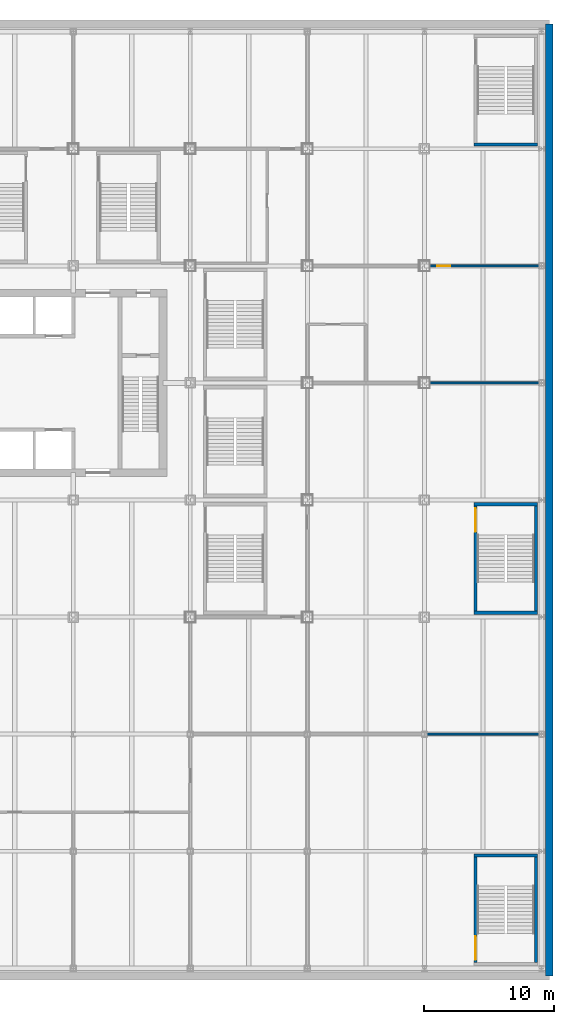
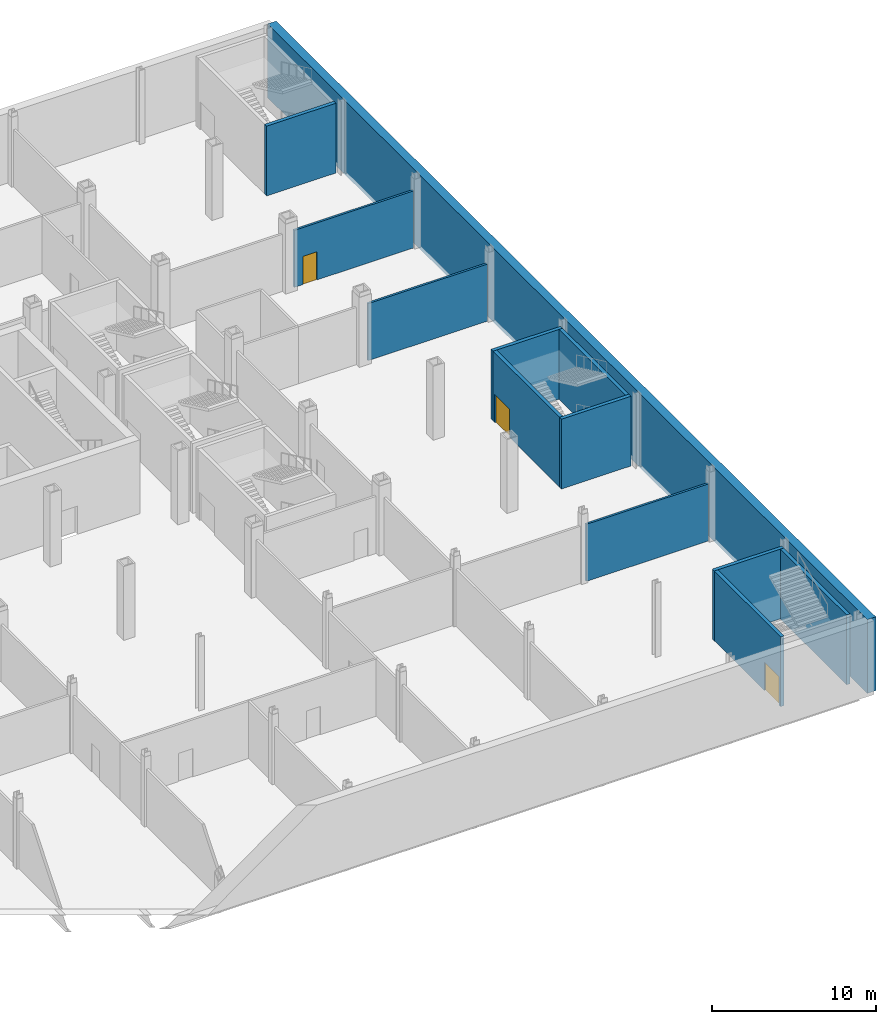
# One storey, part 11 of 27: 12 walls, 3 doors, 3 openings.
"""IFC4 building model written with IfcOpenShell, lengths in metres."""

from ifc_helpers import new_model, si_unit, direction, frame, frame_2d, origin, place, context, subcontext, project, spatial, rectangle, extrude, material, layer, layer_set, type_object, element, fill, save


model = new_model("IFC4")

# Units and contexts
model_context = context("Model", 3, precision=1e-05, world=origin(), true_north=direction((0.0, 1.0)))
body_context = subcontext(model_context, "Body", "Model", "MODEL_VIEW")
ifc_project = project(units=[si_unit("LENGTHUNIT", "METRE"), si_unit("AREAUNIT", "SQUARE_METRE"), si_unit("VOLUMEUNIT", "CUBIC_METRE"), si_unit("PLANEANGLEUNIT", "RADIAN"), si_unit("MASSUNIT", "GRAM", prefix="KILO")], contexts=[model_context])

# Site, building, storey
site_placement = place(None, origin())
site = spatial("IfcSite", under=ifc_project, at=site_placement, CompositionType="ELEMENT")
building_placement = place(site_placement, origin())
building = spatial("IfcBuilding", under=site, at=building_placement, Name="Loomwork Tower", CompositionType="ELEMENT")
storey_placement = place(building_placement, frame((0.0, 0.0, -5.5)))
storey = spatial("IfcBuildingStorey", under=building, at=storey_placement, Name="B1", CompositionType="ELEMENT", Elevation=-5.5)

# Walls
ifc_material_1 = material(Name="Concrete 6000 psi (41 MPa)", Category="concrete")
ifc_layer_1 = layer(ifc_material_1, 0.60009765625)
ifc_layer_set_1 = layer_set([ifc_layer_1], Name="Basement retaining wall 600")
wall_type_1 = type_object("IfcWallType", Name="Basement retaining wall 600", PredefinedType="SOLIDWALL", material=ifc_layer_set_1)
wall_1_placement = place(storey_placement, frame((63.60009765625, -27.60009765625, -0.300048828125), z_axis=(0.0, 0.0, 1.0), x_axis=(0.0, 1.0, 0.0)))
element("IfcWall", 1, at=wall_1_placement, inside=storey, type_object=wall_type_1, Name="Basement retaining wall E", PredefinedType="SOLIDWALL", context=body_context, shape_type="SweptSolid", body=[
    extrude(rectangle(XDim=73.2001953125, YDim=0.60009765625, at=frame_2d((36.60009765625, 0.0))), origin(), (0.0, 0.0, 1.0), 5.5),
])
ifc_material_2 = material(Name="Gypsum board on steel studs, one-hour", Category="steel")
ifc_layer_2 = layer(ifc_material_2, 0.14990234375)
ifc_layer_set_2 = layer_set([ifc_layer_2], Name="Partition 150")
wall_type_2 = type_object("IfcWallType", Name="Partition 150", PredefinedType="PARTITIONING", material=ifc_layer_set_2)
wall_2_placement = place(storey_placement, frame((54.20068359375, -9.0, 0.0), z_axis=(0.0, 0.0, 1.0), x_axis=(1.0, 0.0, 0.0)))
element("IfcWall", 2, at=wall_2_placement, inside=storey, type_object=wall_type_2, Name="Partition B1 33.2", PredefinedType="PARTITIONING", context=body_context, shape_type="SweptSolid", body=[
    extrude(rectangle(XDim=8.599853515625, YDim=0.14990234375, at=frame_2d((4.2998046875, 0.0))), origin(), (0.0, 0.0, 1.0), 4.252685546875),
])

# Wall, opening, door
wall_3_placement = place(storey_placement, frame((62.800537109375, 27.0, 0.0), z_axis=(0.0, 0.0, 1.0), x_axis=(-1.0, 0.0, 0.0)))
wall_3 = element("IfcWall", 3, at=wall_3_placement, inside=storey, type_object=wall_type_2, Name="Partition B1 39.1", PredefinedType="PARTITIONING", context=body_context, shape_type="SweptSolid", body=[
    extrude(rectangle(XDim=8.400634765625, YDim=0.14990234375, at=frame_2d((4.2001953125, 0.0))), origin(), (0.0, 0.0, 1.0), 4.252685546875),
])
opening_1_placement = place(wall_3_placement, frame((6.800537109375, 0.0, 0.0)))
opening_1 = element("IfcOpeningElement", 4, at=opening_1_placement, cuts=wall_3, Name="Opening D15", PredefinedType="OPENING", context=body_context, shape_type="SweptSolid", body=[
    extrude(rectangle(XDim=1.0, YDim=2.10009765625, at=frame_2d((0.5, 1.050048828125))), frame((0.0, 0.0849609375, 0.0), z_axis=(0.0, -1.0, 0.0), x_axis=(1.0, 0.0, 0.0)), (0.0, 0.0, 1.0), 0.169921875),
])
ifc_material_3 = material(Name="Hollow metal door and frame")
door_type_1 = type_object("IfcDoorType", Name="Fire-rated room door 1000", OperationType="SINGLE_SWING_LEFT", PredefinedType="DOOR", material=ifc_material_3)
door_1_placement = place(opening_1_placement, frame((1.0, 0.0, 0.0), z_axis=(0.0, 0.0, 1.0), x_axis=(-1.0, 0.0, 0.0)))
door_1 = element("IfcDoor", 5, at=door_1_placement, inside=storey, type_object=door_type_1, Name="Retail store door", OperationType="SINGLE_SWING_LEFT", OverallHeight=2.10009765625, OverallWidth=1.0, PredefinedType="DOOR", context=body_context, shape_type="SweptSolid", body=[
    extrude(rectangle(XDim=1.0, YDim=2.10009765625, at=frame_2d((0.5, 1.050048828125))), frame((0.0, 0.02490234375, 0.0), z_axis=(0.0, -1.0, 0.0), x_axis=(1.0, 0.0, 0.0)), (0.0, 0.0, 1.0), 0.050048828125),
])
fill(opening_1, door_1)

# Walls
wall_4_placement = place(storey_placement, frame((54.39990234375, 18.0, 0.0), z_axis=(0.0, 0.0, 1.0), x_axis=(1.0, 0.0, 0.0)))
element("IfcWall", 6, at=wall_4_placement, inside=storey, type_object=wall_type_2, Name="Partition B1 43.2", PredefinedType="PARTITIONING", context=body_context, shape_type="SweptSolid", body=[
    extrude(rectangle(XDim=8.400634765625, YDim=0.14990234375, at=frame_2d((4.2001953125, 0.0))), origin(), (0.0, 0.0, 1.0), 4.252685546875),
])
ifc_material_4 = material(Name="Concrete masonry, two-hour", Category="masonry")
ifc_layer_3 = layer(ifc_material_4, 0.25)
ifc_layer_set_3 = layer_set([ifc_layer_3], Name="Stair enclosure wall 250")
wall_type_3 = type_object("IfcWallType", Name="Stair enclosure wall 250", PredefinedType="SOLIDWALL", material=ifc_layer_set_3)
wall_5_placement = place(storey_placement, frame((57.800048828125, -18.324951171875, 0.0), z_axis=(0.0, 0.0, 1.0), x_axis=(1.0, 0.0, 0.0)))
element("IfcWall", 7, at=wall_5_placement, inside=storey, type_object=wall_type_3, Name="Stair PS2 enclosure wall N B1", PredefinedType="SOLIDWALL", context=body_context, shape_type="SweptSolid", body=[
    extrude(rectangle(XDim=4.89990234375, YDim=0.25, at=frame_2d((2.449951171875, 0.0))), origin(), (0.0, 0.0, 1.0), 5.199951171875),
])

# Wall, opening, door
wall_6_placement = place(storey_placement, frame((57.925048828125, -26.550048828125, 0.0), z_axis=(0.0, 0.0, 1.0), x_axis=(0.0, 1.0, 0.0)))
wall_6 = element("IfcWall", 8, at=wall_6_placement, inside=storey, type_object=wall_type_3, Name="Stair PS2 enclosure wall W B1", PredefinedType="SOLIDWALL", context=body_context, shape_type="SweptSolid", body=[
    extrude(rectangle(XDim=8.10009765625, YDim=0.25, at=frame_2d((4.050048828125, 0.0))), origin(), (0.0, 0.0, 1.0), 5.199951171875),
])
opening_2_placement = place(wall_6_placement, frame((0.199951171875, 0.0, 0.0)))
opening_2 = element("IfcOpeningElement", 9, at=opening_2_placement, cuts=wall_6, Name="Opening D14", PredefinedType="OPENING", context=body_context, shape_type="SweptSolid", body=[
    extrude(rectangle(XDim=1.800048828125, YDim=2.10009765625, at=frame_2d((0.89990234375, 1.050048828125))), frame((0.0, 0.135009765625, 0.0), z_axis=(0.0, -1.0, 0.0), x_axis=(1.0, 0.0, 0.0)), (0.0, 0.0, 1.0), 0.27001953125),
])
ifc_material_5 = material(Name="Hollow metal door and frame")
door_type_2 = type_object("IfcDoorType", Name="Stair double door 1800", OperationType="DOUBLE_DOOR_SINGLE_SWING", PredefinedType="DOOR", material=ifc_material_5)
door_2_placement = place(opening_2_placement, frame((1.800048828125, 0.0, 0.0), z_axis=(0.0, 0.0, 1.0), x_axis=(-1.0, 0.0, 0.0)))
door_2 = element("IfcDoor", 10, at=door_2_placement, inside=storey, type_object=door_type_2, Name="Stair PS2 door B1", OperationType="DOUBLE_DOOR_SINGLE_SWING", OverallHeight=2.10009765625, OverallWidth=1.800048828125, PredefinedType="DOOR", context=body_context, shape_type="SweptSolid", body=[
    extrude(rectangle(XDim=1.800048828125, YDim=2.10009765625, at=frame_2d((0.89990234375, 1.050048828125))), frame((0.0, 0.02490234375, 0.0), z_axis=(0.0, -1.0, 0.0), x_axis=(1.0, 0.0, 0.0)), (0.0, 0.0, 1.0), 0.050048828125),
])
fill(opening_2, door_2)

# Walls
wall_7_placement = place(storey_placement, frame((62.574951171875, -26.550048828125, 0.0), z_axis=(0.0, 0.0, 1.0), x_axis=(0.0, 1.0, 0.0)))
element("IfcWall", 11, at=wall_7_placement, inside=storey, type_object=wall_type_3, Name="Stair PS2 enclosure wall E B1", PredefinedType="SOLIDWALL", context=body_context, shape_type="SweptSolid", body=[
    extrude(rectangle(XDim=8.10009765625, YDim=0.25, at=frame_2d((4.050048828125, 0.0))), origin(), (0.0, 0.0, 1.0), 5.199951171875),
])
for number, where, z_axis, x_axis, name in (
    (12, (57.800048828125, 36.324951171875, 0.0), (0.0, 0.0, 1.0), (1.0, 0.0, 0.0), "Stair PS4 enclosure wall S B1"),
    (13, (57.800048828125, 0.324951171875, 0.0), (0.0, 0.0, 1.0), (1.0, 0.0, 0.0), "Stair PS6 enclosure wall S B1"),
    (14, (57.800048828125, 8.675048828125, 0.0), (0.0, 0.0, 1.0), (1.0, 0.0, 0.0), "Stair PS6 enclosure wall N B1"),
):
    element("IfcWall", number, at=place(storey_placement, frame(where, z_axis=z_axis, x_axis=x_axis)), inside=storey, type_object=wall_type_3, Name=name, PredefinedType="SOLIDWALL", context=body_context, shape_type="SweptSolid", body=[
        extrude(rectangle(XDim=4.89990234375, YDim=0.25, at=frame_2d((2.449951171875, 0.0))), origin(), (0.0, 0.0, 1.0), 5.199951171875),
    ])

# Wall, opening, door
wall_8_placement = place(storey_placement, frame((57.925048828125, 0.449951171875, 0.0), z_axis=(0.0, 0.0, 1.0), x_axis=(0.0, 1.0, 0.0)))
wall_8 = element("IfcWall", 15, at=wall_8_placement, inside=storey, type_object=wall_type_3, Name="Stair PS6 enclosure wall W B1", PredefinedType="SOLIDWALL", context=body_context, shape_type="SweptSolid", body=[
    extrude(rectangle(XDim=8.10009765625, YDim=0.25, at=frame_2d((4.050048828125, 0.0))), origin(), (0.0, 0.0, 1.0), 5.199951171875),
])
opening_3_placement = place(wall_8_placement, frame((6.10009765625, 0.0, 0.0)))
opening_3 = element("IfcOpeningElement", 16, at=opening_3_placement, cuts=wall_8, Name="Opening D14", PredefinedType="OPENING", context=body_context, shape_type="SweptSolid", body=[
    extrude(rectangle(XDim=1.800048828125, YDim=2.10009765625, at=frame_2d((0.89990234375, 1.050048828125))), frame((0.0, 0.135009765625, 0.0), z_axis=(0.0, -1.0, 0.0), x_axis=(1.0, 0.0, 0.0)), (0.0, 0.0, 1.0), 0.27001953125),
])
door_3_placement = place(opening_3_placement, frame((1.800048828125, 0.0, 0.0), z_axis=(0.0, 0.0, 1.0), x_axis=(-1.0, 0.0, 0.0)))
door_3 = element("IfcDoor", 17, at=door_3_placement, inside=storey, type_object=door_type_2, Name="Stair PS6 door B1", OperationType="DOUBLE_DOOR_SINGLE_SWING", OverallHeight=2.10009765625, OverallWidth=1.800048828125, PredefinedType="DOOR", context=body_context, shape_type="SweptSolid", body=[
    extrude(rectangle(XDim=1.800048828125, YDim=2.10009765625, at=frame_2d((0.89990234375, 1.050048828125))), frame((0.0, 0.02490234375, 0.0), z_axis=(0.0, -1.0, 0.0), x_axis=(1.0, 0.0, 0.0)), (0.0, 0.0, 1.0), 0.050048828125),
])
fill(opening_3, door_3)

# Wall
wall_9_placement = place(storey_placement, frame((62.574951171875, 0.449951171875, 0.0), z_axis=(0.0, 0.0, 1.0), x_axis=(0.0, 1.0, 0.0)))
element("IfcWall", 18, at=wall_9_placement, inside=storey, type_object=wall_type_3, Name="Stair PS6 enclosure wall E B1", PredefinedType="SOLIDWALL", context=body_context, shape_type="SweptSolid", body=[
    extrude(rectangle(XDim=8.10009765625, YDim=0.25, at=frame_2d((4.050048828125, 0.0))), origin(), (0.0, 0.0, 1.0), 5.199951171875),
])

save(model, "model.ifc")
